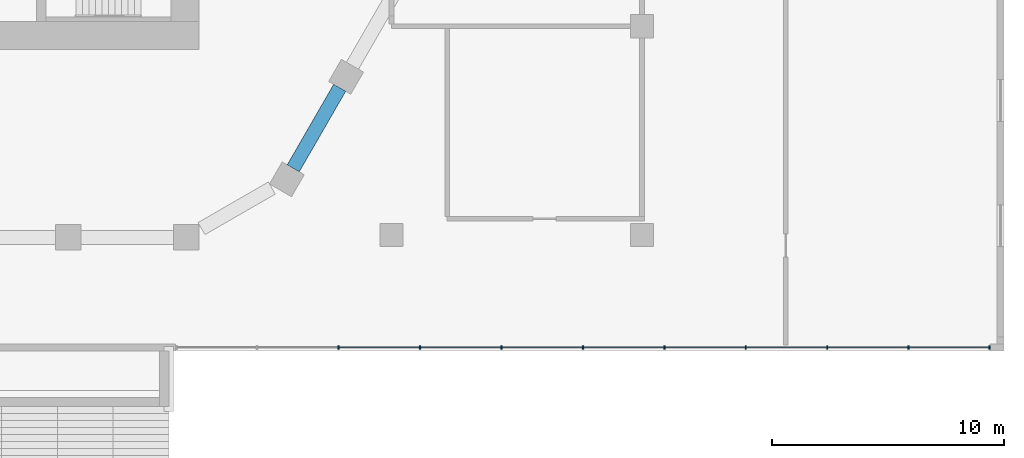
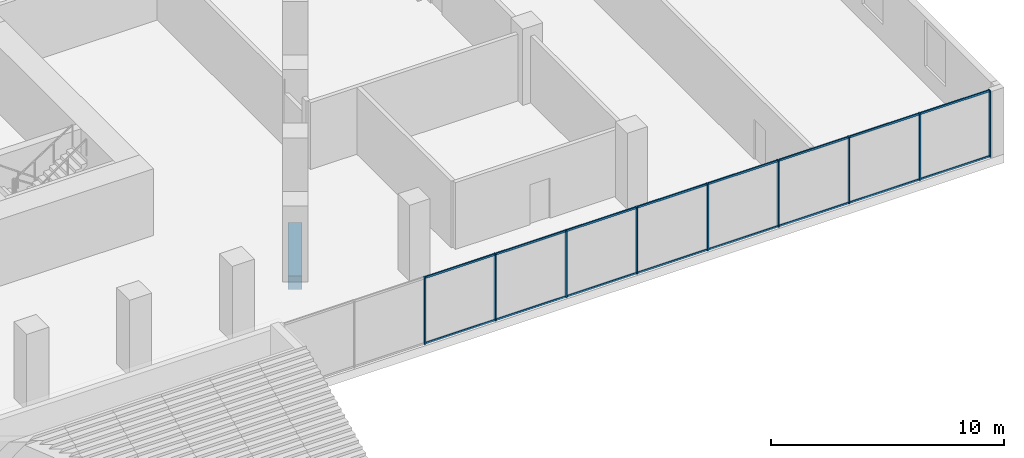
# One storey, part 9 of 45: 25 members, 1 beam, 1 element without a shape of its own.
"""IFC4 building model written with IfcOpenShell, lengths in metres."""

from ifc_helpers import new_model, si_unit, direction, frame, origin, origin_2d, place, context, subcontext, project, spatial, rectangle, hollow_rectangle, extrude, material, material_profile, profile_set, type_object, element, aggregate, save


model = new_model("IFC4")

# Units and contexts
model_context = context("Model", 3, precision=1e-05, world=origin(), true_north=direction((0.0, 1.0)))
body_context = subcontext(model_context, "Body", "Model", "MODEL_VIEW")
ifc_project = project(units=[si_unit("LENGTHUNIT", "METRE"), si_unit("AREAUNIT", "SQUARE_METRE"), si_unit("VOLUMEUNIT", "CUBIC_METRE"), si_unit("PLANEANGLEUNIT", "RADIAN"), si_unit("MASSUNIT", "GRAM", prefix="KILO")], contexts=[model_context])

# Site, building, storey
site_placement = place(None, origin())
site = spatial("IfcSite", under=ifc_project, at=site_placement, CompositionType="ELEMENT")
building_placement = place(site_placement, origin())
building = spatial("IfcBuilding", under=site, at=building_placement, Name="Beryl Residences", CompositionType="ELEMENT")
storey_placement = place(building_placement, frame((0.0, 0.0, 5.0)))
storey = spatial("IfcBuildingStorey", under=building, at=storey_placement, Name="L01", CompositionType="ELEMENT", Elevation=5.0)

# Curtain wall, members
ifc_material_1 = material(Name="Aluminium and clear glass", Category="aluminium")
curtain_wall_type = type_object("IfcCurtainWallType", Name="CW1 shopfront glazed wall", PredefinedType="NOTDEFINED", material=ifc_material_1)
curtain_wall_placement = place(storey_placement, origin())
curtain_wall = element("IfcCurtainWall", 1, at=curtain_wall_placement, inside=storey, type_object=curtain_wall_type, Name="CW1 L01 S", PredefinedType="NOTDEFINED")
ifc_material_2 = material(Name="Aluminium", Category="aluminium")
ifc_material_profile_1 = material_profile(ifc_material_2, rectangle(XDim=0.06005859375, YDim=0.14990234375, at=origin_2d()))
ifc_profile_set_1 = profile_set([ifc_material_profile_1], Name="Aluminium")
member_type_1 = type_object("IfcMemberType", Name="CW1-M mullion 60 x 150 mm", PredefinedType="MULLION", material=ifc_profile_set_1)
member_1_placement = place(storey_placement, frame((19.320068359375, -31.85009765625, 0.0), z_axis=(0.0, 0.0, 1.0), x_axis=(1.0, 0.0, 0.0)))
member_1 = element("IfcMember", 2, at=member_1_placement, type_object=member_type_1, Name="CW1 mullion 3", PredefinedType="MULLION", context=body_context, shape_type="SweptSolid", body=[
    extrude(rectangle(XDim=0.06005859375, YDim=0.14990234375, at=origin_2d()), origin(), (0.0, 0.0, 1.0), 3.5),
])
member_2_placement = place(storey_placement, frame((22.830078125, -31.85009765625, 0.0), z_axis=(0.0, 0.0, 1.0), x_axis=(1.0, 0.0, 0.0)))
member_2 = element("IfcMember", 3, at=member_2_placement, type_object=member_type_1, Name="CW1 mullion 4", PredefinedType="MULLION", context=body_context, shape_type="SweptSolid", body=[
    extrude(rectangle(XDim=0.06005859375, YDim=0.14990234375, at=origin_2d()), origin(), (0.0, 0.0, 1.0), 3.5),
])
member_3_placement = place(storey_placement, frame((26.340087890625, -31.85009765625, 0.0), z_axis=(0.0, 0.0, 1.0), x_axis=(1.0, 0.0, 0.0)))
member_3 = element("IfcMember", 4, at=member_3_placement, type_object=member_type_1, Name="CW1 mullion 5", PredefinedType="MULLION", context=body_context, shape_type="SweptSolid", body=[
    extrude(rectangle(XDim=0.06005859375, YDim=0.14990234375, at=origin_2d()), origin(), (0.0, 0.0, 1.0), 3.5),
])
member_4_placement = place(storey_placement, frame((29.85009765625, -31.85009765625, 0.0), z_axis=(0.0, 0.0, 1.0), x_axis=(1.0, 0.0, 0.0)))
member_4 = element("IfcMember", 5, at=member_4_placement, type_object=member_type_1, Name="CW1 mullion 6", PredefinedType="MULLION", context=body_context, shape_type="SweptSolid", body=[
    extrude(rectangle(XDim=0.06005859375, YDim=0.14990234375, at=origin_2d()), origin(), (0.0, 0.0, 1.0), 3.5),
])
member_5_placement = place(storey_placement, frame((33.360107421875, -31.85009765625, 0.0), z_axis=(0.0, 0.0, 1.0), x_axis=(1.0, 0.0, 0.0)))
member_5 = element("IfcMember", 6, at=member_5_placement, type_object=member_type_1, Name="CW1 mullion 7", PredefinedType="MULLION", context=body_context, shape_type="SweptSolid", body=[
    extrude(rectangle(XDim=0.06005859375, YDim=0.14990234375, at=origin_2d()), origin(), (0.0, 0.0, 1.0), 3.5),
])
member_6_placement = place(storey_placement, frame((36.8701171875, -31.85009765625, 0.0), z_axis=(0.0, 0.0, 1.0), x_axis=(1.0, 0.0, 0.0)))
member_6 = element("IfcMember", 7, at=member_6_placement, type_object=member_type_1, Name="CW1 mullion 8", PredefinedType="MULLION", context=body_context, shape_type="SweptSolid", body=[
    extrude(rectangle(XDim=0.06005859375, YDim=0.14990234375, at=origin_2d()), origin(), (0.0, 0.0, 1.0), 3.5),
])
member_7_placement = place(storey_placement, frame((40.3798828125, -31.85009765625, 0.0), z_axis=(0.0, 0.0, 1.0), x_axis=(1.0, 0.0, 0.0)))
member_7 = element("IfcMember", 8, at=member_7_placement, type_object=member_type_1, Name="CW1 mullion 9", PredefinedType="MULLION", context=body_context, shape_type="SweptSolid", body=[
    extrude(rectangle(XDim=0.06005859375, YDim=0.14990234375, at=origin_2d()), origin(), (0.0, 0.0, 1.0), 3.5),
])
member_8_placement = place(storey_placement, frame((43.889892578125, -31.85009765625, 0.0), z_axis=(0.0, 0.0, 1.0), x_axis=(1.0, 0.0, 0.0)))
member_8 = element("IfcMember", 9, at=member_8_placement, type_object=member_type_1, Name="CW1 mullion 10", PredefinedType="MULLION", context=body_context, shape_type="SweptSolid", body=[
    extrude(rectangle(XDim=0.06005859375, YDim=0.14990234375, at=origin_2d()), origin(), (0.0, 0.0, 1.0), 3.5),
])
member_9_placement = place(storey_placement, frame((47.3701171875, -31.85009765625, 0.0), z_axis=(0.0, 0.0, 1.0), x_axis=(1.0, 0.0, 0.0)))
member_9 = element("IfcMember", 10, at=member_9_placement, type_object=member_type_1, Name="CW1 mullion 11", PredefinedType="MULLION", context=body_context, shape_type="SweptSolid", body=[
    extrude(rectangle(XDim=0.06005859375, YDim=0.14990234375, at=origin_2d()), origin(), (0.0, 0.0, 1.0), 3.5),
])
ifc_material_3 = material(Name="Aluminium", Category="aluminium")
ifc_material_profile_2 = material_profile(ifc_material_3, hollow_rectangle(XDim=0.06005859375, YDim=0.10009765625, WallThickness=0.00390625, at=origin_2d()))
ifc_profile_set_2 = profile_set([ifc_material_profile_2], Name="Aluminium")
member_type_2 = type_object("IfcMemberType", Name="CW1-T transom 60 x 100 mm", PredefinedType="USERDEFINED", material=ifc_profile_set_2)
member_10_placement = place(storey_placement, frame((19.35009765625, -31.85009765625, 0.030029296875), z_axis=(1.0, 0.0, 0.0), x_axis=(0.0, 1.0, 0.0)))
member_10 = element("IfcMember", 11, at=member_10_placement, type_object=member_type_2, Name="CW1 transom 3.1", ObjectType="TRANSOM", PredefinedType="USERDEFINED", context=body_context, shape_type="SweptSolid", body=[
    extrude(hollow_rectangle(XDim=0.06005859375, YDim=0.10009765625, WallThickness=0.00390625, at=origin_2d()), origin(), (0.0, 0.0, 1.0), 3.449951171875),
])
member_11_placement = place(storey_placement, frame((19.35009765625, -31.85009765625, 3.469970703125), z_axis=(1.0, 0.0, 0.0), x_axis=(0.0, 1.0, 0.0)))
member_11 = element("IfcMember", 12, at=member_11_placement, type_object=member_type_2, Name="CW1 transom 3.2", ObjectType="TRANSOM", PredefinedType="USERDEFINED", context=body_context, shape_type="SweptSolid", body=[
    extrude(hollow_rectangle(XDim=0.06005859375, YDim=0.10009765625, WallThickness=0.00390625, at=origin_2d()), origin(), (0.0, 0.0, 1.0), 3.449951171875),
])
member_12_placement = place(storey_placement, frame((22.860107421875, -31.85009765625, 0.030029296875), z_axis=(1.0, 0.0, 0.0), x_axis=(0.0, 1.0, 0.0)))
member_12 = element("IfcMember", 13, at=member_12_placement, type_object=member_type_2, Name="CW1 transom 4.1", ObjectType="TRANSOM", PredefinedType="USERDEFINED", context=body_context, shape_type="SweptSolid", body=[
    extrude(hollow_rectangle(XDim=0.06005859375, YDim=0.10009765625, WallThickness=0.00390625, at=origin_2d()), origin(), (0.0, 0.0, 1.0), 3.449951171875),
])
member_13_placement = place(storey_placement, frame((22.860107421875, -31.85009765625, 3.469970703125), z_axis=(1.0, 0.0, 0.0), x_axis=(0.0, 1.0, 0.0)))
member_13 = element("IfcMember", 14, at=member_13_placement, type_object=member_type_2, Name="CW1 transom 4.2", ObjectType="TRANSOM", PredefinedType="USERDEFINED", context=body_context, shape_type="SweptSolid", body=[
    extrude(hollow_rectangle(XDim=0.06005859375, YDim=0.10009765625, WallThickness=0.00390625, at=origin_2d()), origin(), (0.0, 0.0, 1.0), 3.449951171875),
])
member_14_placement = place(storey_placement, frame((26.3701171875, -31.85009765625, 0.030029296875), z_axis=(1.0, 0.0, 0.0), x_axis=(0.0, 1.0, 0.0)))
member_14 = element("IfcMember", 15, at=member_14_placement, type_object=member_type_2, Name="CW1 transom 5.1", ObjectType="TRANSOM", PredefinedType="USERDEFINED", context=body_context, shape_type="SweptSolid", body=[
    extrude(hollow_rectangle(XDim=0.06005859375, YDim=0.10009765625, WallThickness=0.00390625, at=origin_2d()), origin(), (0.0, 0.0, 1.0), 3.449951171875),
])
member_15_placement = place(storey_placement, frame((26.3701171875, -31.85009765625, 3.469970703125), z_axis=(1.0, 0.0, 0.0), x_axis=(0.0, 1.0, 0.0)))
member_15 = element("IfcMember", 16, at=member_15_placement, type_object=member_type_2, Name="CW1 transom 5.2", ObjectType="TRANSOM", PredefinedType="USERDEFINED", context=body_context, shape_type="SweptSolid", body=[
    extrude(hollow_rectangle(XDim=0.06005859375, YDim=0.10009765625, WallThickness=0.00390625, at=origin_2d()), origin(), (0.0, 0.0, 1.0), 3.449951171875),
])
member_16_placement = place(storey_placement, frame((29.8798828125, -31.85009765625, 0.030029296875), z_axis=(1.0, 0.0, 0.0), x_axis=(0.0, 1.0, 0.0)))
member_16 = element("IfcMember", 17, at=member_16_placement, type_object=member_type_2, Name="CW1 transom 6.1", ObjectType="TRANSOM", PredefinedType="USERDEFINED", context=body_context, shape_type="SweptSolid", body=[
    extrude(hollow_rectangle(XDim=0.06005859375, YDim=0.10009765625, WallThickness=0.00390625, at=origin_2d()), origin(), (0.0, 0.0, 1.0), 3.4501953125),
])
member_17_placement = place(storey_placement, frame((29.8798828125, -31.85009765625, 3.469970703125), z_axis=(1.0, 0.0, 0.0), x_axis=(0.0, 1.0, 0.0)))
member_17 = element("IfcMember", 18, at=member_17_placement, type_object=member_type_2, Name="CW1 transom 6.2", ObjectType="TRANSOM", PredefinedType="USERDEFINED", context=body_context, shape_type="SweptSolid", body=[
    extrude(hollow_rectangle(XDim=0.06005859375, YDim=0.10009765625, WallThickness=0.00390625, at=origin_2d()), origin(), (0.0, 0.0, 1.0), 3.4501953125),
])
member_18_placement = place(storey_placement, frame((33.389892578125, -31.85009765625, 0.030029296875), z_axis=(1.0, 0.0, 0.0), x_axis=(0.0, 1.0, 0.0)))
member_18 = element("IfcMember", 19, at=member_18_placement, type_object=member_type_2, Name="CW1 transom 7.1", ObjectType="TRANSOM", PredefinedType="USERDEFINED", context=body_context, shape_type="SweptSolid", body=[
    extrude(hollow_rectangle(XDim=0.06005859375, YDim=0.10009765625, WallThickness=0.00390625, at=origin_2d()), origin(), (0.0, 0.0, 1.0), 3.4501953125),
])
member_19_placement = place(storey_placement, frame((33.389892578125, -31.85009765625, 3.469970703125), z_axis=(1.0, 0.0, 0.0), x_axis=(0.0, 1.0, 0.0)))
member_19 = element("IfcMember", 20, at=member_19_placement, type_object=member_type_2, Name="CW1 transom 7.2", ObjectType="TRANSOM", PredefinedType="USERDEFINED", context=body_context, shape_type="SweptSolid", body=[
    extrude(hollow_rectangle(XDim=0.06005859375, YDim=0.10009765625, WallThickness=0.00390625, at=origin_2d()), origin(), (0.0, 0.0, 1.0), 3.4501953125),
])
member_20_placement = place(storey_placement, frame((36.89990234375, -31.85009765625, 0.030029296875), z_axis=(1.0, 0.0, 0.0), x_axis=(0.0, 1.0, 0.0)))
member_20 = element("IfcMember", 21, at=member_20_placement, type_object=member_type_2, Name="CW1 transom 8.1", ObjectType="TRANSOM", PredefinedType="USERDEFINED", context=body_context, shape_type="SweptSolid", body=[
    extrude(hollow_rectangle(XDim=0.06005859375, YDim=0.10009765625, WallThickness=0.00390625, at=origin_2d()), origin(), (0.0, 0.0, 1.0), 3.4501953125),
])
member_21_placement = place(storey_placement, frame((36.89990234375, -31.85009765625, 3.469970703125), z_axis=(1.0, 0.0, 0.0), x_axis=(0.0, 1.0, 0.0)))
member_21 = element("IfcMember", 22, at=member_21_placement, type_object=member_type_2, Name="CW1 transom 8.2", ObjectType="TRANSOM", PredefinedType="USERDEFINED", context=body_context, shape_type="SweptSolid", body=[
    extrude(hollow_rectangle(XDim=0.06005859375, YDim=0.10009765625, WallThickness=0.00390625, at=origin_2d()), origin(), (0.0, 0.0, 1.0), 3.4501953125),
])
member_22_placement = place(storey_placement, frame((40.409912109375, -31.85009765625, 0.030029296875), z_axis=(1.0, 0.0, 0.0), x_axis=(0.0, 1.0, 0.0)))
member_22 = element("IfcMember", 23, at=member_22_placement, type_object=member_type_2, Name="CW1 transom 9.1", ObjectType="TRANSOM", PredefinedType="USERDEFINED", context=body_context, shape_type="SweptSolid", body=[
    extrude(hollow_rectangle(XDim=0.06005859375, YDim=0.10009765625, WallThickness=0.00390625, at=origin_2d()), origin(), (0.0, 0.0, 1.0), 3.4501953125),
])
member_23_placement = place(storey_placement, frame((40.409912109375, -31.85009765625, 3.469970703125), z_axis=(1.0, 0.0, 0.0), x_axis=(0.0, 1.0, 0.0)))
member_23 = element("IfcMember", 24, at=member_23_placement, type_object=member_type_2, Name="CW1 transom 9.2", ObjectType="TRANSOM", PredefinedType="USERDEFINED", context=body_context, shape_type="SweptSolid", body=[
    extrude(hollow_rectangle(XDim=0.06005859375, YDim=0.10009765625, WallThickness=0.00390625, at=origin_2d()), origin(), (0.0, 0.0, 1.0), 3.4501953125),
])
member_24_placement = place(storey_placement, frame((43.919921875, -31.85009765625, 0.030029296875), z_axis=(1.0, 0.0, 0.0), x_axis=(0.0, 1.0, 0.0)))
member_24 = element("IfcMember", 25, at=member_24_placement, type_object=member_type_2, Name="CW1 transom 10.1", ObjectType="TRANSOM", PredefinedType="USERDEFINED", context=body_context, shape_type="SweptSolid", body=[
    extrude(hollow_rectangle(XDim=0.06005859375, YDim=0.10009765625, WallThickness=0.00390625, at=origin_2d()), origin(), (0.0, 0.0, 1.0), 3.420166015625),
])
member_25_placement = place(storey_placement, frame((43.919921875, -31.85009765625, 3.469970703125), z_axis=(1.0, 0.0, 0.0), x_axis=(0.0, 1.0, 0.0)))
member_25 = element("IfcMember", 26, at=member_25_placement, type_object=member_type_2, Name="CW1 transom 10.2", ObjectType="TRANSOM", PredefinedType="USERDEFINED", context=body_context, shape_type="SweptSolid", body=[
    extrude(hollow_rectangle(XDim=0.06005859375, YDim=0.10009765625, WallThickness=0.00390625, at=origin_2d()), origin(), (0.0, 0.0, 1.0), 3.420166015625),
])
aggregate(curtain_wall, [member_1, member_2, member_3, member_4, member_5, member_6, member_7, member_8, member_9, member_10, member_11, member_12, member_13, member_14, member_15, member_16, member_17, member_18, member_19, member_20, member_21, member_22, member_23, member_24, member_25])

# Beam
ifc_material_4 = material(Name="Concrete C80/95", Category="concrete")
ifc_material_profile_3 = material_profile(ifc_material_4, rectangle(XDim=0.60009765625, YDim=0.699951171875, at=origin_2d()))
ifc_profile_set_3 = profile_set([ifc_material_profile_3], Name="Concrete C80/95")
beam_type = type_object("IfcBeamType", Name="SB1 spandrel beam 600 x 700 C80/95", PredefinedType="SPANDREL", material=ifc_profile_set_3)
beam_placement = place(storey_placement, frame((17.364990234375, -24.1240234375, -0.800048828125), z_axis=(0.499942357345, 0.866058681229, 0.0), x_axis=(-0.866058681229, 0.499942357345, 0.0)))
element("IfcBeam", 27, at=beam_placement, inside=storey, type_object=beam_type, Name="SB1 L01 SE-0", PredefinedType="SPANDREL", context=body_context, shape_type="SweptSolid", body=[
    extrude(rectangle(XDim=0.60009765625, YDim=0.699951171875, at=origin_2d()), origin(), (0.0, 0.0, 1.0), 4.00439453125),
])

save(model, "model.ifc")
